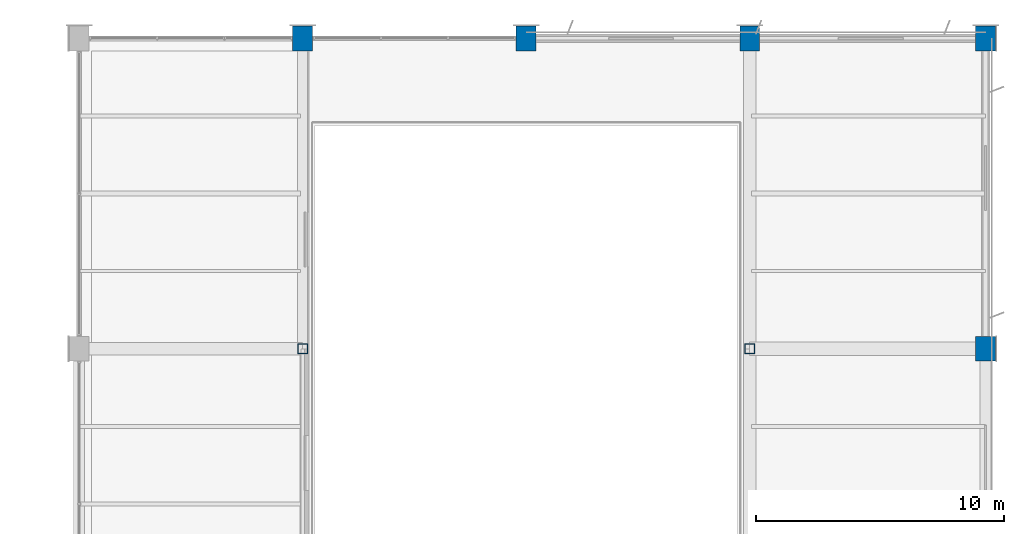
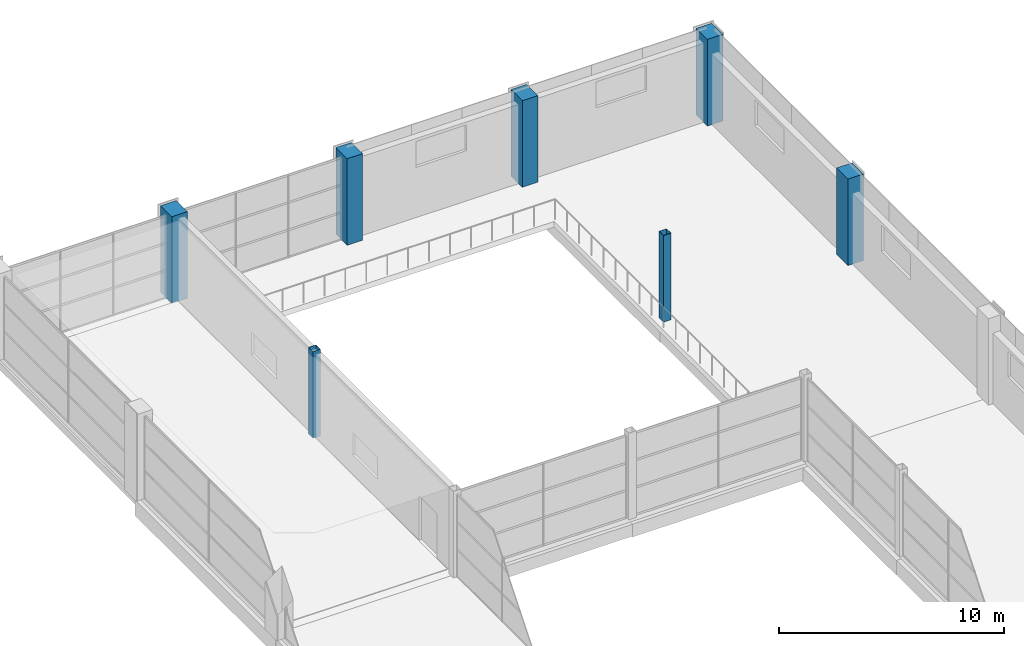
# One storey, part 9 of 112: 7 columns.
"""IFC4 building model written with IfcOpenShell, lengths in metres."""

from ifc_helpers import new_model, si_unit, direction, frame, origin, origin_2d, place, context, subcontext, project, spatial, rectangle, hollow_rectangle, extrude, material, material_profile, profile_set, type_object, element, save


model = new_model("IFC4")

# Units and contexts
model_context = context("Model", 3, precision=1e-05, world=origin(), true_north=direction((0.0, 1.0)))
body_context = subcontext(model_context, "Body", "Model", "MODEL_VIEW")
ifc_project = project(units=[si_unit("LENGTHUNIT", "METRE"), si_unit("AREAUNIT", "SQUARE_METRE"), si_unit("VOLUMEUNIT", "CUBIC_METRE"), si_unit("PLANEANGLEUNIT", "RADIAN"), si_unit("MASSUNIT", "GRAM", prefix="KILO")], contexts=[model_context])

# Site, building, storey
site_placement = place(None, origin())
site = spatial("IfcSite", under=ifc_project, at=site_placement, CompositionType="ELEMENT")
building_placement = place(site_placement, origin())
building = spatial("IfcBuilding", under=site, at=building_placement, Name="Solvikara Media Centre", CompositionType="ELEMENT")
storey_placement = place(building_placement, frame((0.0, 0.0, 5.39990234375)))
storey = spatial("IfcBuildingStorey", under=building, at=storey_placement, Name="L01", CompositionType="ELEMENT", Elevation=5.39990234375)

# Columns
ifc_material_1 = material(Name="Concrete fc' 45 MPa (C45/55)", Category="concrete")
ifc_material_profile_1 = material_profile(ifc_material_1, rectangle(XDim=0.800048828125, YDim=1.0, at=origin_2d()), Name="RC 800x1000")
ifc_profile_set_1 = profile_set([ifc_material_profile_1], Name="Concrete fc' 45 MPa (C45/55)")
column_type_1 = type_object("IfcColumnType", Name="CL-16", PredefinedType="COLUMN", material=ifc_profile_set_1)
for number, where, z_axis, x_axis, name in (
    (1, (136.5, 114.0, 0.0), (0.0, 0.0, 1.0), (1.0, 0.0, 0.0), "C-L01-1365-1140"),
    (2, (145.5, 114.0, 0.0), (0.0, 0.0, 1.0), (1.0, 0.0, 0.0), "C-L01-1455-1140"),
    (3, (154.5, 114.0, 0.0), (0.0, 0.0, 1.0), (1.0, 0.0, 0.0), "C-L01-1545-1140"),
    (4, (164.0, 101.5, 0.0), (0.0, 0.0, 1.0), (1.0, 0.0, 0.0), "C-L01-1640-1015"),
    (5, (164.0, 114.0, 0.0), (0.0, 0.0, 1.0), (1.0, 0.0, 0.0), "C-L01-1640-1140"),
):
    element("IfcColumn", number, at=place(storey_placement, frame(where, z_axis=z_axis, x_axis=x_axis)), inside=storey, type_object=column_type_1, Name=name, PredefinedType="COLUMN", context=body_context, shape_type="SweptSolid", body=[
        extrude(rectangle(XDim=0.800048828125, YDim=1.0, at=origin_2d()), origin(), (0.0, 0.0, 1.0), 4.7001953125),
    ])
ifc_material_2 = material(Name="Steel S355JR", Category="steel")
ifc_material_profile_2 = material_profile(ifc_material_2, hollow_rectangle(XDim=0.39990234375, YDim=0.39990234375, WallThickness=0.01611328125, at=origin_2d()), Name="RHS 400x400x16")
ifc_profile_set_2 = profile_set([ifc_material_profile_2], Name="Steel S355JR")
column_type_2 = type_object("IfcColumnType", Name="CL-27", PredefinedType="COLUMN", material=ifc_profile_set_2)
for number, where, z_axis, x_axis, name in (
    (6, (136.5, 101.5, 0.0), (0.0, 0.0, 1.0), (1.0, 0.0, 0.0), "C-L01-1365-1015"),
    (7, (154.5, 101.5, 0.0), (0.0, 0.0, 1.0), (1.0, 0.0, 0.0), "C-L01-1545-1015"),
):
    element("IfcColumn", number, at=place(storey_placement, frame(where, z_axis=z_axis, x_axis=x_axis)), inside=storey, type_object=column_type_2, Name=name, PredefinedType="COLUMN", context=body_context, shape_type="SweptSolid", body=[
        extrude(hollow_rectangle(XDim=0.39990234375, YDim=0.39990234375, WallThickness=0.01611328125, at=origin_2d()), origin(), (0.0, 0.0, 1.0), 4.7001953125),
    ])

save(model, "model.ifc")
